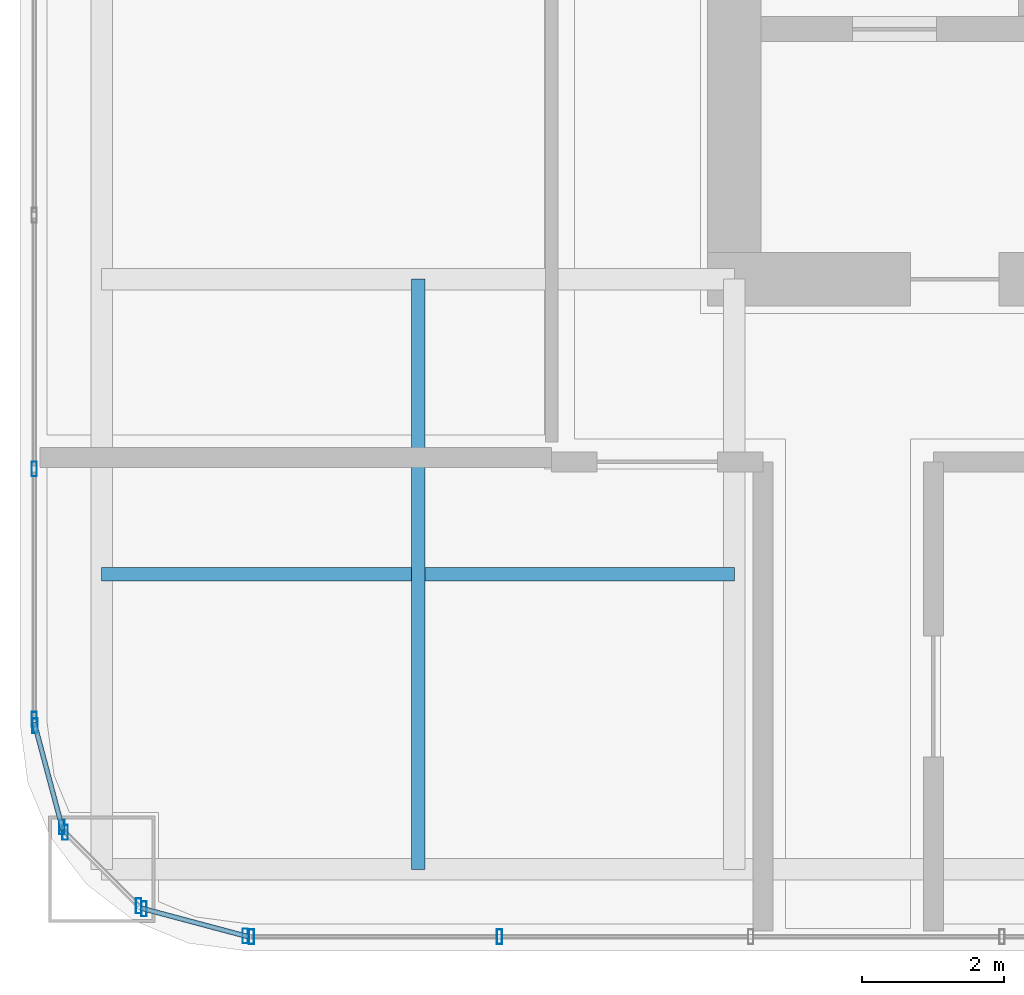
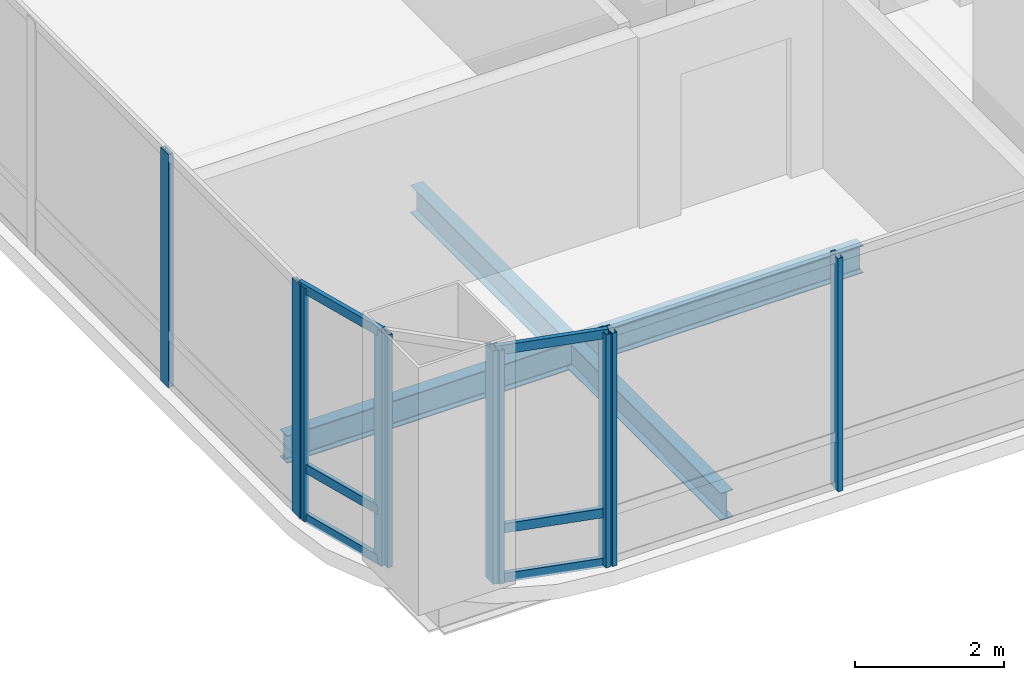
# One storey, part 2 of 34: 16 members, 2 beams, 5 elements without a shape of their own.
"""IFC4 building model written with IfcOpenShell, lengths in metres."""

from ifc_helpers import new_model, si_unit, direction, frame, origin, origin_2d, place, context, subcontext, project, spatial, hollow_rectangle, i_section, extrude, material, material_profile, profile_set, type_object, element, aggregate, save


model = new_model("IFC4")

# Units and contexts
model_context = context("Model", 3, precision=1e-05, world=origin(), true_north=direction((0.0, 1.0)))
body_context = subcontext(model_context, "Body", "Model", "MODEL_VIEW")
ifc_project = project(units=[si_unit("LENGTHUNIT", "METRE"), si_unit("AREAUNIT", "SQUARE_METRE"), si_unit("VOLUMEUNIT", "CUBIC_METRE"), si_unit("PLANEANGLEUNIT", "RADIAN"), si_unit("MASSUNIT", "GRAM", prefix="KILO")], contexts=[model_context])

# Site, building, storey
site_placement = place(None, origin())
site = spatial("IfcSite", under=ifc_project, at=site_placement, CompositionType="ELEMENT")
building_placement = place(site_placement, origin())
building = spatial("IfcBuilding", under=site, at=building_placement, Name="Punatoya Terracotta Tower", CompositionType="ELEMENT")
storey_placement = place(building_placement, frame((0.0, 0.0, 101.10009765625)))
storey = spatial("IfcBuildingStorey", under=building, at=storey_placement, Name="L23", CompositionType="ELEMENT", Elevation=101.10009765625)

# Beams
ifc_material_1 = material(Name="Steel S355", Category="steel")
ifc_material_profile_1 = material_profile(ifc_material_1, i_section(OverallWidth=0.18994140625, OverallDepth=0.449951171875, WebThickness=0.009521484375, FlangeThickness=0.0146484375, FilletRadius=0.01806640625, at=origin_2d()))
ifc_profile_set_1 = profile_set([ifc_material_profile_1], Name="Steel S355")
beam_type = type_object("IfcBeamType", Name="BM-SEC-450", PredefinedType="JOIST", material=ifc_profile_set_1)
beam_1_placement = place(storey_placement, frame((-19.10009765625, -13.35009765625, -0.465087890625), z_axis=(1.0, 0.0, 0.0), x_axis=(0.0, 1.0, 0.0)))
element("IfcBeam", 1, at=beam_1_placement, inside=storey, type_object=beam_type, Name="BM-L23-SJS-1", PredefinedType="JOIST", context=body_context, shape_type="SweptSolid", body=[
    extrude(i_section(OverallWidth=0.18994140625, OverallDepth=0.449951171875, WebThickness=0.009521484375, FlangeThickness=0.0146484375, FilletRadius=0.01806640625, at=origin_2d()), origin(), (0.0, 0.0, 1.0), 8.900146484375),
])
beam_2_placement = place(storey_placement, frame((-14.64990234375, -17.5, -0.465087890625), z_axis=(0.0, 1.0, 0.0), x_axis=(-1.0, 0.0, 0.0)))
element("IfcBeam", 2, at=beam_2_placement, inside=storey, type_object=beam_type, Name="BM-L23-SJW-1", PredefinedType="JOIST", context=body_context, shape_type="SweptSolid", body=[
    extrude(i_section(OverallWidth=0.18994140625, OverallDepth=0.449951171875, WebThickness=0.009521484375, FlangeThickness=0.0146484375, FilletRadius=0.01806640625, at=origin_2d()), origin(), (0.0, 0.0, 1.0), 8.300048828125),
])

# Curtain wall, members
ifc_material_2 = material(Name="Aluminium 6063-T6 + Double Low-E Glass", Category="aluminium")
curtain_wall_type = type_object("IfcCurtainWallType", Name="CW-M1", PredefinedType="NOTDEFINED", material=ifc_material_2)
curtain_wall_1_placement = place(storey_placement, origin())
curtain_wall_1 = element("IfcCurtainWall", 3, at=curtain_wall_1_placement, inside=storey, type_object=curtain_wall_type, Name="L23 Curtain Wall CW-L23-S01-1", PredefinedType="NOTDEFINED")
ifc_material_3 = material(Name="Aluminium 6063-T6", Category="aluminium")
ifc_material_profile_2 = material_profile(ifc_material_3, hollow_rectangle(XDim=0.074951171875, YDim=0.2099609375, WallThickness=0.00439453125, at=origin_2d()))
ifc_profile_set_2 = profile_set([ifc_material_profile_2], Name="Aluminium 6063-T6")
member_type_1 = type_object("IfcMemberType", Name="CW-MUL-M1", PredefinedType="MULLION", material=ifc_profile_set_2)
member_1_placement = place(storey_placement, frame((-16.991943359375, -18.449951171875, 0.0), z_axis=(0.0, 0.0, 1.0), x_axis=(1.0, 0.0, 0.0)))
member_1 = element("IfcMember", 4, at=member_1_placement, type_object=member_type_1, Name="CW-L23-S01-1 Mullion 00", PredefinedType="MULLION", context=body_context, shape_type="SweptSolid", body=[
    extrude(hollow_rectangle(XDim=0.074951171875, YDim=0.2099609375, WallThickness=0.00439453125, at=origin_2d()), origin(), (0.0, 0.0, 1.0), 3.809814453125),
])
member_2_placement = place(storey_placement, frame((-13.5029296875, -18.449951171875, 0.0), z_axis=(0.0, 0.0, 1.0), x_axis=(1.0, 0.0, 0.0)))
member_2 = element("IfcMember", 5, at=member_2_placement, type_object=member_type_1, Name="CW-L23-S01-1 Mullion 01", PredefinedType="MULLION", context=body_context, shape_type="SweptSolid", body=[
    extrude(hollow_rectangle(XDim=0.074951171875, YDim=0.2099609375, WallThickness=0.00439453125, at=origin_2d()), origin(), (0.0, 0.0, 1.0), 3.809814453125),
])
aggregate(curtain_wall_1, [member_1, member_2])

curtain_wall_2_placement = place(storey_placement, origin())
curtain_wall_2 = element("IfcCurtainWall", 6, at=curtain_wall_2_placement, inside=storey, type_object=curtain_wall_type, Name="L23 Curtain Wall CW-L23-W13-1", PredefinedType="NOTDEFINED")
member_3_placement = place(storey_placement, frame((-20.050048828125, -11.869384765625, 0.0), z_axis=(0.0, 0.0, 1.0), x_axis=(1.0, 0.0, 0.0)))
member_3 = element("IfcMember", 7, at=member_3_placement, type_object=member_type_1, Name="CW-L23-W13-1 Mullion 09", PredefinedType="MULLION", context=body_context, shape_type="SweptSolid", body=[
    extrude(hollow_rectangle(XDim=0.074951171875, YDim=0.2099609375, WallThickness=0.00439453125, at=origin_2d()), origin(), (0.0, 0.0, 1.0), 3.809814453125),
])
member_4_placement = place(storey_placement, frame((-20.050048828125, -15.391845703125, 0.0), z_axis=(0.0, 0.0, 1.0), x_axis=(1.0, 0.0, 0.0)))
member_4 = element("IfcMember", 8, at=member_4_placement, type_object=member_type_1, Name="CW-L23-W13-1 Mullion 10", PredefinedType="MULLION", context=body_context, shape_type="SweptSolid", body=[
    extrude(hollow_rectangle(XDim=0.074951171875, YDim=0.2099609375, WallThickness=0.00439453125, at=origin_2d()), origin(), (0.0, 0.0, 1.0), 3.809814453125),
])
aggregate(curtain_wall_2, [member_3, member_4])

curtain_wall_3_placement = place(storey_placement, origin())
curtain_wall_3 = element("IfcCurtainWall", 9, at=curtain_wall_3_placement, inside=storey, type_object=curtain_wall_type, Name="L23 Curtain Wall CW-L23-CRN14", PredefinedType="NOTDEFINED")
member_5_placement = place(storey_placement, frame((-20.038330078125, -15.48046875, 0.0), z_axis=(0.0, 0.0, 1.0), x_axis=(1.0, 0.0, 0.0)))
member_5 = element("IfcMember", 10, at=member_5_placement, type_object=member_type_1, Name="CW-L23-CRN14 Mullion 00", PredefinedType="MULLION", context=body_context, shape_type="SweptSolid", body=[
    extrude(hollow_rectangle(XDim=0.074951171875, YDim=0.2099609375, WallThickness=0.00439453125, at=origin_2d()), origin(), (0.0, 0.0, 1.0), 3.809814453125),
])
member_6_placement = place(storey_placement, frame((-19.658203125, -16.905517578125, 0.0), z_axis=(0.0, 0.0, 1.0), x_axis=(1.0, 0.0, 0.0)))
member_6 = element("IfcMember", 11, at=member_6_placement, type_object=member_type_1, Name="CW-L23-CRN14 Mullion 01", PredefinedType="MULLION", context=body_context, shape_type="SweptSolid", body=[
    extrude(hollow_rectangle(XDim=0.074951171875, YDim=0.2099609375, WallThickness=0.00439453125, at=origin_2d()), origin(), (0.0, 0.0, 1.0), 3.809814453125),
])

curtain_wall_4_placement = place(storey_placement, origin())
curtain_wall_4 = element("IfcCurtainWall", 12, at=curtain_wall_4_placement, inside=storey, type_object=curtain_wall_type, Name="L23 Curtain Wall CW-L23-CRN15", PredefinedType="NOTDEFINED")
member_7_placement = place(storey_placement, frame((-19.61474609375, -16.98095703125, 0.0), z_axis=(0.0, 0.0, 1.0), x_axis=(1.0, 0.0, 0.0)))
member_7 = element("IfcMember", 13, at=member_7_placement, type_object=member_type_1, Name="CW-L23-CRN15 Mullion 00", PredefinedType="MULLION", context=body_context, shape_type="SweptSolid", body=[
    extrude(hollow_rectangle(XDim=0.074951171875, YDim=0.2099609375, WallThickness=0.00439453125, at=origin_2d()), origin(), (0.0, 0.0, 1.0), 3.809814453125),
])
member_8_placement = place(storey_placement, frame((-18.580810546875, -18.014892578125, 0.0), z_axis=(0.0, 0.0, 1.0), x_axis=(1.0, 0.0, 0.0)))
member_8 = element("IfcMember", 14, at=member_8_placement, type_object=member_type_1, Name="CW-L23-CRN15 Mullion 01", PredefinedType="MULLION", context=body_context, shape_type="SweptSolid", body=[
    extrude(hollow_rectangle(XDim=0.074951171875, YDim=0.2099609375, WallThickness=0.00439453125, at=origin_2d()), origin(), (0.0, 0.0, 1.0), 3.809814453125),
])
aggregate(curtain_wall_4, [member_7, member_8])

curtain_wall_5_placement = place(storey_placement, origin())
curtain_wall_5 = element("IfcCurtainWall", 15, at=curtain_wall_5_placement, inside=storey, type_object=curtain_wall_type, Name="L23 Curtain Wall CW-L23-CRN16", PredefinedType="NOTDEFINED")
member_9_placement = place(storey_placement, frame((-18.505615234375, -18.05810546875, 0.0), z_axis=(0.0, 0.0, 1.0), x_axis=(1.0, 0.0, 0.0)))
member_9 = element("IfcMember", 16, at=member_9_placement, type_object=member_type_1, Name="CW-L23-CRN16 Mullion 00", PredefinedType="MULLION", context=body_context, shape_type="SweptSolid", body=[
    extrude(hollow_rectangle(XDim=0.074951171875, YDim=0.2099609375, WallThickness=0.00439453125, at=origin_2d()), origin(), (0.0, 0.0, 1.0), 3.809814453125),
])
member_10_placement = place(storey_placement, frame((-17.080322265625, -18.4384765625, 0.0), z_axis=(0.0, 0.0, 1.0), x_axis=(1.0, 0.0, 0.0)))
member_10 = element("IfcMember", 17, at=member_10_placement, type_object=member_type_1, Name="CW-L23-CRN16 Mullion 01", PredefinedType="MULLION", context=body_context, shape_type="SweptSolid", body=[
    extrude(hollow_rectangle(XDim=0.074951171875, YDim=0.2099609375, WallThickness=0.00439453125, at=origin_2d()), origin(), (0.0, 0.0, 1.0), 3.809814453125),
])

# Member
ifc_material_profile_3 = material_profile(ifc_material_3, hollow_rectangle(XDim=0.068115234375, YDim=0.14990234375, WallThickness=0.00390625, at=origin_2d()))
ifc_profile_set_3 = profile_set([ifc_material_profile_3], Name="Aluminium 6063-T6")
member_type_2 = type_object("IfcMemberType", Name="CW-TRN-TYP", PredefinedType="USERDEFINED", material=ifc_profile_set_3)
member_11_placement = place(storey_placement, frame((-20.050048828125, -15.43701171875, 0.039794921875), z_axis=(0.257847112249, -0.966185730957, 0.0), x_axis=(0.966185730957, 0.257847112249, 0.0)))
member_11 = element("IfcMember", 18, at=member_11_placement, type_object=member_type_2, Name="CW-L23-CRN14 Transom 1", ObjectType="TRANSOM", PredefinedType="USERDEFINED", context=body_context, shape_type="SweptSolid", body=[
    extrude(hollow_rectangle(XDim=0.068115234375, YDim=0.14990234375, WallThickness=0.00390625, at=origin_2d()), origin(), (0.0, 0.0, 1.0), 1.565185546875),
])

member_12_placement = place(storey_placement, frame((-20.050048828125, -15.43701171875, 0.849853515625), z_axis=(0.257847112249, -0.966185730957, 0.0), x_axis=(0.966185730957, 0.257847112249, 0.0)))
member_12 = element("IfcMember", 19, at=member_12_placement, type_object=member_type_2, Name="CW-L23-CRN14 Transom 2", ObjectType="TRANSOM", PredefinedType="USERDEFINED", context=body_context, shape_type="SweptSolid", body=[
    extrude(hollow_rectangle(XDim=0.068115234375, YDim=0.14990234375, WallThickness=0.00390625, at=origin_2d()), origin(), (0.0, 0.0, 1.0), 1.565185546875),
])

member_13_placement = place(storey_placement, frame((-20.050048828125, -15.43701171875, 3.77001953125), z_axis=(0.257847112249, -0.966185730957, 0.0), x_axis=(0.966185730957, 0.257847112249, 0.0)))
member_13 = element("IfcMember", 20, at=member_13_placement, type_object=member_type_2, Name="CW-L23-CRN14 Transom 3", ObjectType="TRANSOM", PredefinedType="USERDEFINED", context=body_context, shape_type="SweptSolid", body=[
    extrude(hollow_rectangle(XDim=0.068115234375, YDim=0.14990234375, WallThickness=0.00390625, at=origin_2d()), origin(), (0.0, 0.0, 1.0), 1.565185546875),
])

aggregate(curtain_wall_3, [member_5, member_6, member_11, member_12, member_13])

member_14_placement = place(storey_placement, frame((-18.549072265625, -18.046630859375, 0.039794921875), z_axis=(0.966224582397, -0.257701486942, 0.0), x_axis=(0.257701486942, 0.966224582397, 0.0)))
member_14 = element("IfcMember", 21, at=member_14_placement, type_object=member_type_2, Name="CW-L23-CRN16 Transom 1", ObjectType="TRANSOM", PredefinedType="USERDEFINED", context=body_context, shape_type="SweptSolid", body=[
    extrude(hollow_rectangle(XDim=0.068115234375, YDim=0.14990234375, WallThickness=0.00390625, at=origin_2d()), origin(), (0.0, 0.0, 1.0), 1.565185546875),
])

member_15_placement = place(storey_placement, frame((-18.549072265625, -18.046630859375, 0.849853515625), z_axis=(0.966224582397, -0.257701486942, 0.0), x_axis=(0.257701486942, 0.966224582397, 0.0)))
member_15 = element("IfcMember", 22, at=member_15_placement, type_object=member_type_2, Name="CW-L23-CRN16 Transom 2", ObjectType="TRANSOM", PredefinedType="USERDEFINED", context=body_context, shape_type="SweptSolid", body=[
    extrude(hollow_rectangle(XDim=0.068115234375, YDim=0.14990234375, WallThickness=0.00390625, at=origin_2d()), origin(), (0.0, 0.0, 1.0), 1.565185546875),
])

member_16_placement = place(storey_placement, frame((-18.549072265625, -18.046630859375, 3.77001953125), z_axis=(0.966224582397, -0.257701486942, 0.0), x_axis=(0.257701486942, 0.966224582397, 0.0)))
member_16 = element("IfcMember", 23, at=member_16_placement, type_object=member_type_2, Name="CW-L23-CRN16 Transom 3", ObjectType="TRANSOM", PredefinedType="USERDEFINED", context=body_context, shape_type="SweptSolid", body=[
    extrude(hollow_rectangle(XDim=0.068115234375, YDim=0.14990234375, WallThickness=0.00390625, at=origin_2d()), origin(), (0.0, 0.0, 1.0), 1.565185546875),
])

aggregate(curtain_wall_5, [member_9, member_10, member_14, member_15, member_16])

save(model, "model.ifc")
